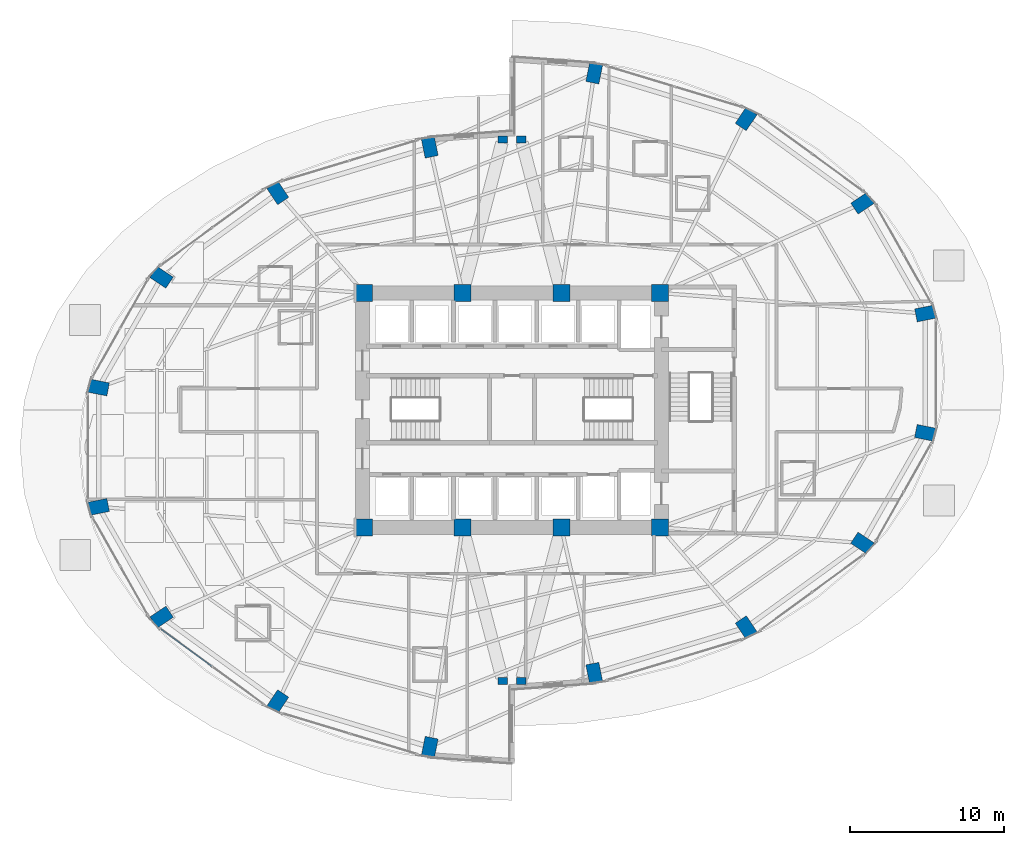
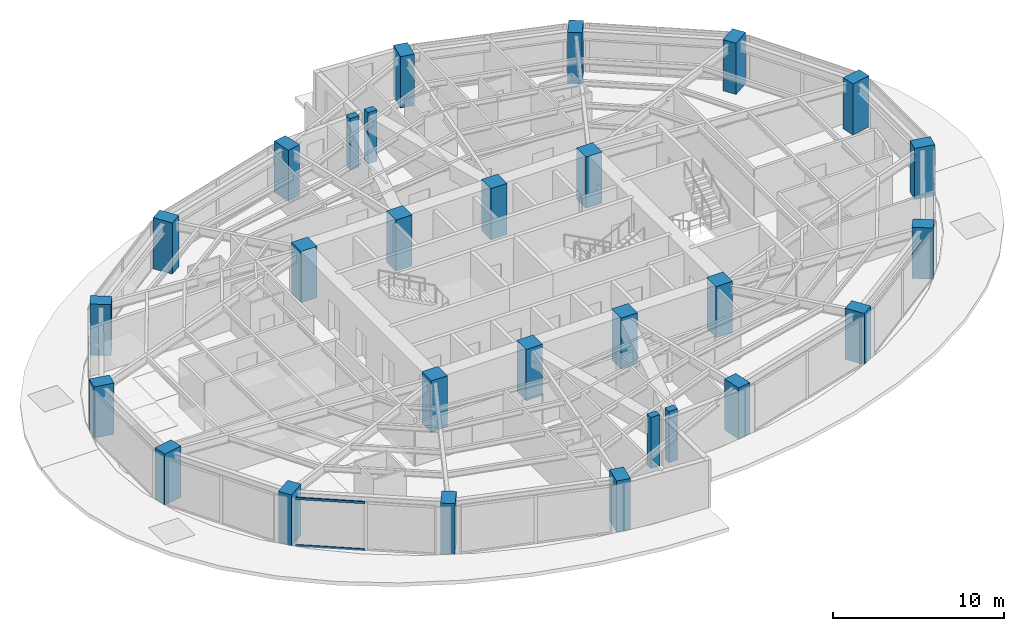
# One storey, part 1 of 25: 28 columns, 2 members, 1 element without a shape of its own.
"""IFC4 building model written with IfcOpenShell, lengths in metres."""

from ifc_helpers import new_model, si_unit, direction, frame, origin, origin_2d, place, context, subcontext, project, spatial, rectangle, hollow_rectangle, extrude, material, layer, layer_set, material_profile, profile_set, type_object, element, aggregate, save


model = new_model("IFC4")

# Units and contexts
model_context = context("Model", 3, precision=1e-05, world=origin(), true_north=direction((0.0, 1.0)))
body_context = subcontext(model_context, "Body", "Model", "MODEL_VIEW")
ifc_project = project(units=[si_unit("LENGTHUNIT", "METRE"), si_unit("AREAUNIT", "SQUARE_METRE"), si_unit("VOLUMEUNIT", "CUBIC_METRE"), si_unit("PLANEANGLEUNIT", "RADIAN"), si_unit("MASSUNIT", "GRAM", prefix="KILO")], contexts=[model_context])

# Site, building, storey
site_placement = place(None, origin())
site = spatial("IfcSite", under=ifc_project, at=site_placement, CompositionType="ELEMENT")
building_placement = place(site_placement, origin())
building = spatial("IfcBuilding", under=site, at=building_placement, Name="Lazwardi Medical Tower", CompositionType="ELEMENT")
storey_placement = place(building_placement, frame((0.0, 0.0, 25.199951171875)))
storey = spatial("IfcBuildingStorey", under=building, at=storey_placement, Name="L05", CompositionType="ELEMENT", Elevation=25.199951171875)

# Columns
ifc_material_1 = material(Name="Concrete C80/95", Category="concrete")
ifc_material_profile_1 = material_profile(ifc_material_1, rectangle(XDim=1.10009765625, YDim=1.10009765625, at=origin_2d()), Name="RC 1100x1100")
ifc_profile_set_1 = profile_set([ifc_material_profile_1], Name="Concrete C80/95")
column_type_1 = type_object("IfcColumnType", Name="COL-CC-L", PredefinedType="COLUMN", material=ifc_profile_set_1)
for number, where, z_axis, x_axis, name in (
    (1, (26.39990234375, 20.39990234375, 0.0), (0.0, 0.0, 1.0), (1.0, 0.0, 0.0), "Core column CC-01 CC1 L05"),
    (2, (32.800048828125, 20.39990234375, 0.0), (0.0, 0.0, 1.0), (1.0, 0.0, 0.0), "Core column CC-01 CC2 L05"),
    (3, (39.199951171875, 20.39990234375, 0.0), (0.0, 0.0, 1.0), (1.0, 0.0, 0.0), "Core column CC-01 CC3 L05"),
    (4, (45.60009765625, 20.39990234375, 0.0), (0.0, 0.0, 1.0), (1.0, 0.0, 0.0), "Core column CC-01 CC4 L05"),
    (5, (45.60009765625, 35.60009765625, 0.0), (0.0, 0.0, 1.0), (1.0, 0.0, 0.0), "Core column CC-01 CC5 L05"),
    (6, (39.199951171875, 35.60009765625, 0.0), (0.0, 0.0, 1.0), (1.0, 0.0, 0.0), "Core column CC-01 CC6 L05"),
    (7, (32.800048828125, 35.60009765625, 0.0), (0.0, 0.0, 1.0), (1.0, 0.0, 0.0), "Core column CC-01 CC7 L05"),
    (8, (26.39990234375, 35.60009765625, 0.0), (0.0, 0.0, 1.0), (1.0, 0.0, 0.0), "Core column CC-01 CC8 L05"),
):
    element("IfcColumn", number, at=place(storey_placement, frame(where, z_axis=z_axis, x_axis=x_axis)), inside=storey, type_object=column_type_1, Name=name, PredefinedType="COLUMN", context=body_context, shape_type="SweptSolid", body=[
        extrude(rectangle(XDim=1.10009765625, YDim=1.10009765625, at=origin_2d()), origin(), (0.0, 0.0, 1.0), 3.64794921875),
    ])
ifc_material_2 = material(Name="Concrete C70/85", Category="concrete")
ifc_material_profile_2 = material_profile(ifc_material_2, rectangle(XDim=1.25, YDim=0.860107421875, at=origin_2d()), Name="CFT-RECT 1250x860")
ifc_profile_set_2 = profile_set([ifc_material_profile_2], Name="Concrete C70/85")
column_type_2 = type_object("IfcColumnType", Name="COL-MC-Z1", PredefinedType="COLUMN", material=ifc_profile_set_2)
for number, where, z_axis, x_axis, name in (
    (9, (41.330810546875, 10.955810546875, 0.0), (0.0, 0.0, 1.0), (0.195090322016, -0.980785280403, 0.0), "Mega column MC-03 M01 L05"),
    (10, (51.180908203125, 13.916015625, 0.0), (0.0, 0.0, 1.0), (0.55557023302, -0.831469612303, 0.0), "Mega column MC-03 M02 L05"),
    (11, (58.719970703125, 19.3857421875, 0.0), (0.0, 0.0, 1.0), (0.831469612303, -0.55557023302, 0.0), "Mega column MC-03 M03 L05"),
    (12, (62.800048828125, 26.5322265625, 0.0), (0.0, 0.0, 1.0), (0.980785280403, -0.195090322016, 0.0), "Mega column MC-03 M04 L05"),
    (13, (62.800048828125, 34.267578125, 0.0), (0.0, 0.0, 1.0), (0.980785280403, 0.195090322016, 0.0), "Mega column MC-03 M05 L05"),
    (14, (58.719970703125, 41.414306640625, 0.0), (0.0, 0.0, 1.0), (0.831469612303, 0.55557023302, 0.0), "Mega column MC-03 M06 L05"),
    (15, (51.180908203125, 46.8837890625, 0.0), (0.0, 0.0, 1.0), (0.55557023302, 0.831469612303, 0.0), "Mega column MC-03 M07 L05"),
    (16, (41.330810546875, 49.843994140625, 0.0), (0.0, 0.0, 1.0), (0.195090322016, 0.980785280403, 0.0), "Mega column MC-03 M08 L05"),
    (17, (30.669189453125, 45.044189453125, 0.0), (0.0, 0.0, 1.0), (-0.195090322016, 0.980785280403, 0.0), "Mega column MC-03 M09 L05"),
    (18, (20.819091796875, 42.083984375, 0.0), (0.0, 0.0, 1.0), (-0.55557023302, 0.831469612303, 0.0), "Mega column MC-03 M10 L05"),
    (19, (13.280029296875, 36.6142578125, 0.0), (0.0, 0.0, 1.0), (-0.831469612303, 0.55557023302, 0.0), "Mega column MC-03 M11 L05"),
    (20, (9.199951171875, 29.4677734375, 0.0), (0.0, 0.0, 1.0), (-0.980785280403, 0.195090322016, 0.0), "Mega column MC-03 M12 L05"),
    (21, (9.199951171875, 21.732421875, 0.0), (0.0, 0.0, 1.0), (-0.980785280403, -0.195090322016, 0.0), "Mega column MC-03 M13 L05"),
    (22, (13.280029296875, 14.585693359375, 0.0), (0.0, 0.0, 1.0), (-0.831469612303, -0.55557023302, 0.0), "Mega column MC-03 M14 L05"),
    (23, (20.819091796875, 9.1162109375, 0.0), (0.0, 0.0, 1.0), (-0.55557023302, -0.831469612303, 0.0), "Mega column MC-03 M15 L05"),
    (24, (30.669189453125, 6.156005859375, 0.0), (0.0, 0.0, 1.0), (-0.195090322016, -0.980785280403, 0.0), "Mega column MC-03 M16 L05"),
):
    element("IfcColumn", number, at=place(storey_placement, frame(where, z_axis=z_axis, x_axis=x_axis)), inside=storey, type_object=column_type_2, Name=name, PredefinedType="COLUMN", context=body_context, shape_type="SweptSolid", body=[
        extrude(rectangle(XDim=1.25, YDim=0.860107421875, at=origin_2d()), origin(), (0.0, 0.0, 1.0), 3.64794921875),
    ])
ifc_material_3 = material(Name="Concrete C60/75", Category="concrete")
ifc_material_profile_3 = material_profile(ifc_material_3, rectangle(XDim=0.60009765625, YDim=0.449951171875, at=origin_2d()), Name="RC 600x450")
ifc_profile_set_3 = profile_set([ifc_material_profile_3], Name="Concrete C60/75")
column_type_3 = type_object("IfcColumnType", Name="COL-PL-IW", PredefinedType="PILASTER", material=ifc_profile_set_3)
for number, where, z_axis, x_axis, name in (
    (25, (35.39990234375, 45.550048828125, 0.0), (0.0, 0.0, 1.0), (1.0, 0.0, 0.0), "Iwan pilaster column PL-C1 PL1 L05"),
    (26, (36.60009765625, 45.550048828125, 0.0), (0.0, 0.0, 1.0), (1.0, 0.0, 0.0), "Iwan pilaster column PL-C1 PL2 L05"),
    (27, (35.39990234375, 10.449951171875, 0.0), (0.0, 0.0, 1.0), (1.0, 0.0, 0.0), "Iwan pilaster column PL-C1 PL3 L05"),
    (28, (36.60009765625, 10.449951171875, 0.0), (0.0, 0.0, 1.0), (1.0, 0.0, 0.0), "Iwan pilaster column PL-C1 PL4 L05"),
):
    element("IfcColumn", number, at=place(storey_placement, frame(where, z_axis=z_axis, x_axis=x_axis)), inside=storey, type_object=column_type_3, Name=name, PredefinedType="PILASTER", context=body_context, shape_type="SweptSolid", body=[
        extrude(rectangle(XDim=0.60009765625, YDim=0.449951171875, at=origin_2d()), origin(), (0.0, 0.0, 1.0), 3.64794921875),
    ])

# Curtain wall, members
ifc_material_4 = material(Name="Anodised bronze aluminium and solar control glazing", Category="aluminium")
ifc_layer = layer(ifc_material_4, 0.199951171875)
ifc_layer_set = layer_set([ifc_layer], Name="Anodised bronze aluminium and solar control glazing")
curtain_wall_type = type_object("IfcCurtainWallType", Name="CW-SYS-02", PredefinedType="NOTDEFINED", material=ifc_layer_set)
curtain_wall_placement = place(storey_placement, origin())
curtain_wall = element("IfcCurtainWall", 29, at=curtain_wall_placement, inside=storey, type_object=curtain_wall_type, Name="L05 Unitised bronze curtain wall CW-02", PredefinedType="NOTDEFINED")
ifc_material_5 = material(Name="Anodised bronze aluminium", Category="aluminium")
ifc_material_profile_4 = material_profile(ifc_material_5, hollow_rectangle(XDim=0.074951171875, YDim=0.159912109375, WallThickness=0.00390625, at=origin_2d()), Name="ALU-TRANSOM 160x75x4")
ifc_profile_set_4 = profile_set([ifc_material_profile_4], Name="Anodised bronze aluminium")
member_type = type_object("IfcMemberType", Name="CW-TRN-01", PredefinedType="USERDEFINED", material=ifc_profile_set_4)
member_1_placement = place(storey_placement, frame((13.239990234375, 13.805419921875, 0.03759765625), z_axis=(0.807189956199, -0.590291770748, 0.0), x_axis=(0.590291770748, 0.807189956199, 0.0)))
member_1 = element("IfcMember", 30, at=member_1_placement, type_object=member_type, Name="CW-02 transom 1.1", ObjectType="TRANSOM", PredefinedType="USERDEFINED", context=body_context, shape_type="SweptSolid", body=[
    extrude(hollow_rectangle(XDim=0.074951171875, YDim=0.159912109375, WallThickness=0.00390625, at=origin_2d()), origin(), (0.0, 0.0, 1.0), 4.070068359375),
])
member_2_placement = place(storey_placement, frame((13.239990234375, 13.805419921875, 3.390625), z_axis=(0.807189956199, -0.590291770748, 0.0), x_axis=(0.590291770748, 0.807189956199, 0.0)))
member_2 = element("IfcMember", 31, at=member_2_placement, type_object=member_type, Name="CW-02 transom 1.2", ObjectType="TRANSOM", PredefinedType="USERDEFINED", context=body_context, shape_type="SweptSolid", body=[
    extrude(hollow_rectangle(XDim=0.074951171875, YDim=0.159912109375, WallThickness=0.00390625, at=origin_2d()), origin(), (0.0, 0.0, 1.0), 4.070068359375),
])
aggregate(curtain_wall, [member_1, member_2])

save(model, "model.ifc")
